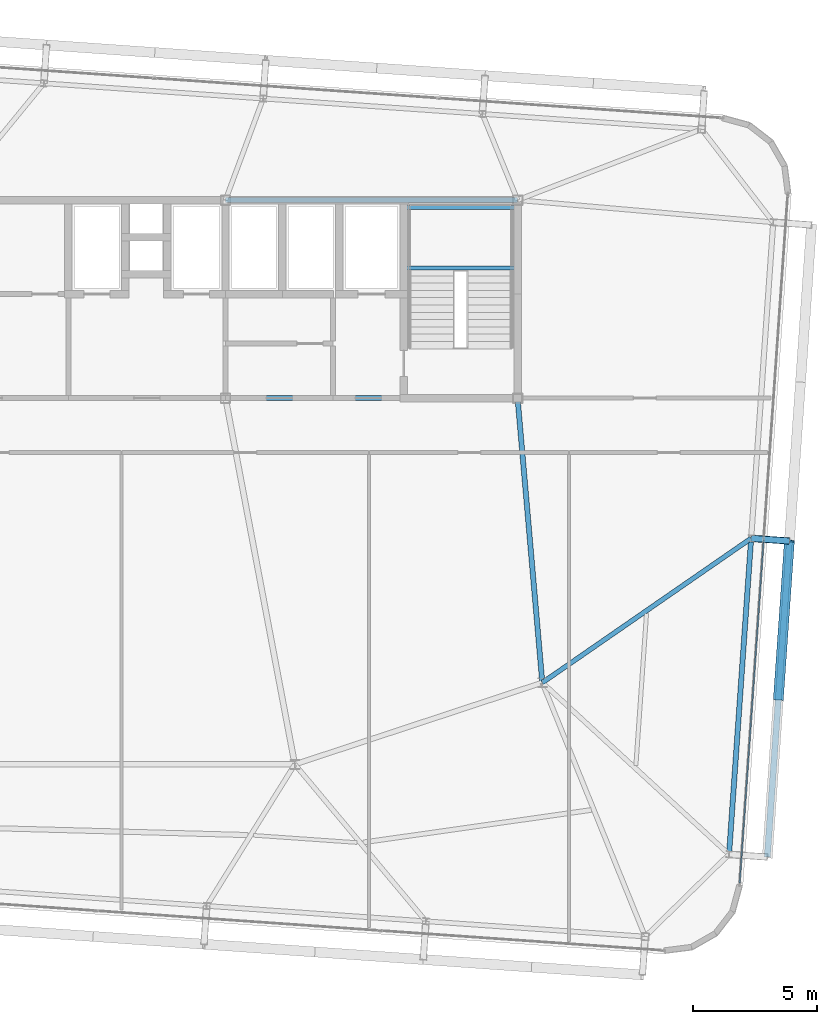
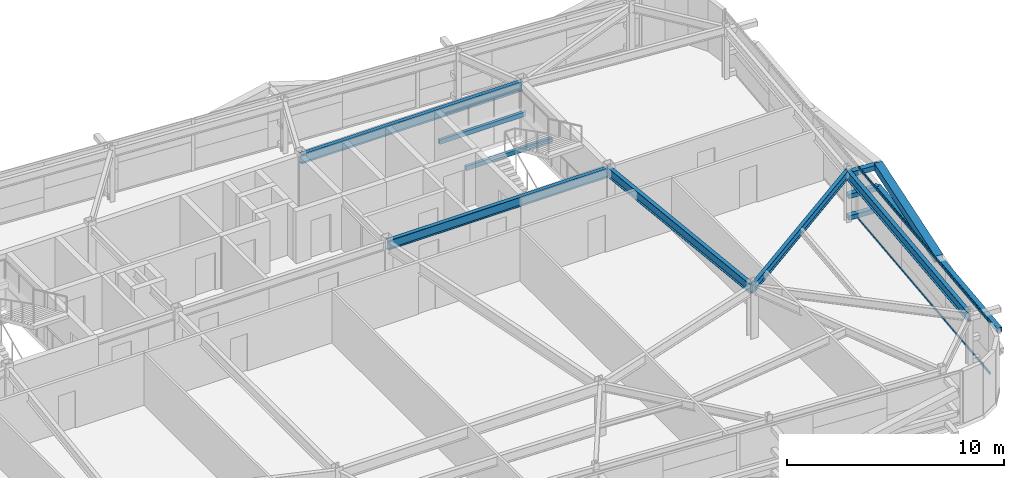
# One storey, part 16 of 39: 7 beams, 7 members, 1 element without a shape of its own.
"""IFC4 building model written with IfcOpenShell, lengths in metres."""

import ifcopenshell
import ifcopenshell.guid

model = None  # the IFC model being written
_history = None  # IfcOwnerHistory: only IFC2X3 demands one
_inside = {}  # id of a spatial element -> (the spatial element, [elements in it])
_under = {}  # id of a project, library or spatial element -> (it, [spatial elements below it])
_declared = {}  # id of a project -> (the project, [libraries it declares])
_typed = {}  # id of a type object -> (the type object, [elements of that type])
_made_of = {}  # id of a material, layer set ... -> (it, [elements and type objects made of it])


def new_model(schema):
    """Start an empty IFC model of exactly this schema.

    Asked for "IFC4X3", IfcOpenShell would pick the latest addendum, in which some entities
    have other attributes; the version numbers below select the first issue.
    IFC2X3 requires an IfcOwnerHistory on every rooted entity: one is made here for all.
    """
    global model, _history
    if schema == "IFC4X3":
        model = ifcopenshell.file(schema_version=(4, 3, 0, 0))
    else:
        model = ifcopenshell.file(schema=schema)
    _inside.clear()
    _under.clear()
    _declared.clear()
    _typed.clear()
    _made_of.clear()
    _history = None
    if model.schema == "IFC2X3":
        org = make("IfcOrganization", Name="unknown")
        user = make(
            "IfcPersonAndOrganization",
            ThePerson=make("IfcPerson", FamilyName="unknown"),
            TheOrganization=org,
        )
        app = make(
            "IfcApplication",
            ApplicationDeveloper=org,
            Version="unknown",
            ApplicationFullName="unknown",
            ApplicationIdentifier="unknown",
        )
        _history = make(
            "IfcOwnerHistory",
            OwningUser=user,
            OwningApplication=app,
            ChangeAction="ADDED",
            CreationDate=0,
        )
    return model


def make(cls, **values):
    """One entity of the class cls with the attributes given. An attribute that is None is left unset."""
    return model.create_entity(
        cls, **{name: value for name, value in values.items() if value is not None}
    )


def rooted(cls, **values):
    """An entity with a GlobalId (a new one), such as an element, a storey or a relation."""
    return make(cls, GlobalId=ifcopenshell.guid.new(), OwnerHistory=_history, **values)


def si_unit(unit_type, name, prefix=None):
    """IfcSIUnit, for example si_unit("LENGTHUNIT", "METRE", prefix="MILLI")."""
    return make("IfcSIUnit", UnitType=unit_type, Prefix=prefix, Name=name)


def assignment(units):
    """IfcUnitAssignment: the units of a project."""
    return None if units is None else make("IfcUnitAssignment", Units=units)


def point(xyz):
    """IfcCartesianPoint."""
    return None if xyz is None else make("IfcCartesianPoint", Coordinates=xyz)


def direction(xyz):
    """IfcDirection."""
    return None if xyz is None else make("IfcDirection", DirectionRatios=xyz)


def frame(location, z_axis=None, x_axis=None):
    """IfcAxis2Placement3D, a coordinate frame: its origin and axes. An axis left out is left unset."""
    return make(
        "IfcAxis2Placement3D",
        Location=point(location),
        Axis=direction(z_axis),
        RefDirection=direction(x_axis),
    )


def frame_2d(location, x_axis=None):
    """IfcAxis2Placement2D, a coordinate frame in the plane: its origin and x axis."""
    return make(
        "IfcAxis2Placement2D", Location=point(location), RefDirection=direction(x_axis)
    )


def origin():
    """The frame at (0, 0, 0) with its axes left unset."""
    return frame((0.0, 0.0, 0.0))


def origin_2d():
    """The frame at (0, 0) in the plane with its x axis left unset."""
    return frame_2d((0.0, 0.0))


def place(relative_to, where):
    """IfcLocalPlacement: puts the frame where relative to a parent placement (None: the world)."""
    return make(
        "IfcLocalPlacement", PlacementRelTo=relative_to, RelativePlacement=where
    )


def context(
    kind, dimensions, precision=None, world=None, true_north=None, identifier=None
):
    """IfcGeometricRepresentationContext, for example the 3D "Model" context."""
    return make(
        "IfcGeometricRepresentationContext",
        ContextIdentifier=identifier,
        ContextType=kind,
        CoordinateSpaceDimension=dimensions,
        Precision=precision,
        WorldCoordinateSystem=world,
        TrueNorth=true_north,
    )


def subcontext(parent, identifier, kind, view, scale=None):
    """IfcGeometricRepresentationSubContext, for example "Body" below "Model"."""
    return make(
        "IfcGeometricRepresentationSubContext",
        ContextIdentifier=identifier,
        ContextType=kind,
        ParentContext=parent,
        TargetScale=scale,
        TargetView=view,
    )


def project(units=None, contexts=None):
    """IfcProject with its units and contexts."""
    return rooted(
        "IfcProject",
        Name="project",
        RepresentationContexts=contexts,
        UnitsInContext=assignment(units),
    )


def spatial(cls, under=None, at=None, **own):
    """A site, building, storey or space (cls), placed at a placement, below another one or the project."""
    s = rooted(cls, ObjectPlacement=at, **own)
    if under is not None:
        _under.setdefault(under.id(), (under, []))[1].append(s)
    return s


def profile(cls, at=None, kind="AREA", **sizes):
    """A parametric profile (cls). Its sizes go by their IFC names, for example OverallWidth=200.0."""
    return make(cls, ProfileType=kind, Position=at, **sizes)


def hollow_rectangle(**sizes):
    """IfcRectangleHollowProfileDef."""
    return profile("IfcRectangleHollowProfileDef", **sizes)


def i_section(**sizes):
    """IfcIShapeProfileDef."""
    return profile("IfcIShapeProfileDef", **sizes)


def extrude(swept, where, along, depth):
    """IfcExtrudedAreaSolid: the profile swept, set in the frame where, extruded along a direction by depth."""
    return make(
        "IfcExtrudedAreaSolid",
        SweptArea=swept,
        Position=where,
        ExtrudedDirection=direction(along),
        Depth=depth,
    )


def shape(context_of_items, identifier, shape_type, items):
    """IfcShapeRepresentation: the items that make up one representation, for example the "Body"."""
    return make(
        "IfcShapeRepresentation",
        ContextOfItems=context_of_items,
        RepresentationIdentifier=identifier,
        RepresentationType=shape_type,
        Items=items,
    )


def source(mapping_origin, context_of_items, identifier, shape_type, items):
    """IfcRepresentationMap: a shape defined once, which mapped items show again and again."""
    return make(
        "IfcRepresentationMap",
        MappingOrigin=mapping_origin,
        MappedRepresentation=shape(context_of_items, identifier, shape_type, items),
    )


def transform(
    local_origin,
    x_axis=None,
    y_axis=None,
    z_axis=None,
    scale=None,
    scale2=None,
    scale3=None,
    uniform=True,
):
    """IfcCartesianTransformationOperator3D, or its non-uniform kind. x_axis, y_axis, z_axis: its Axis1, 2, 3."""
    if uniform:
        return make(
            "IfcCartesianTransformationOperator3D",
            Axis1=direction(x_axis),
            Axis2=direction(y_axis),
            LocalOrigin=point(local_origin),
            Scale=scale,
            Axis3=direction(z_axis),
        )
    return make(
        "IfcCartesianTransformationOperator3DnonUniform",
        Axis1=direction(x_axis),
        Axis2=direction(y_axis),
        LocalOrigin=point(local_origin),
        Scale=scale,
        Axis3=direction(z_axis),
        Scale2=scale2,
        Scale3=scale3,
    )


def mapped(mapping_source, mapping_target):
    """IfcMappedItem: shows the shape of a source again, moved by a transform."""
    return make(
        "IfcMappedItem", MappingSource=mapping_source, MappingTarget=mapping_target
    )


def material(Name=None, Category=None):
    """IfcMaterial."""
    return make("IfcMaterial", Name=Name, Category=Category)


def layer(
    of_material, thickness, ventilated=None, Name=None, Category=None, Priority=None
):
    """IfcMaterialLayer: one layer of a wall or slab, of a material (None: an air gap)."""
    return make(
        "IfcMaterialLayer",
        Material=of_material,
        LayerThickness=thickness,
        IsVentilated=ventilated,
        Name=Name,
        Category=Category,
        Priority=Priority,
    )


def layer_set(layers, Name=None):
    """IfcMaterialLayerSet."""
    return make("IfcMaterialLayerSet", MaterialLayers=layers, LayerSetName=Name)


def material_profile(
    of_material, cross_section, Name=None, Category=None, Priority=None
):
    """IfcMaterialProfile: a cross section and its material."""
    return make(
        "IfcMaterialProfile",
        Name=Name,
        Material=of_material,
        Profile=cross_section,
        Priority=Priority,
        Category=Category,
    )


def profile_set(profiles, Name=None, composite=None):
    """IfcMaterialProfileSet."""
    return make(
        "IfcMaterialProfileSet",
        Name=Name,
        MaterialProfiles=profiles,
        CompositeProfile=composite,
    )


def made_of(thing, what):
    """Note that an element or type object is made of a material, layer set ...; save() writes the relation."""
    if what is not None:
        _made_of.setdefault(what.id(), (what, []))[1].append(thing)
    return thing


def type_object(cls, material=None, **own):
    """A type object (cls), such as IfcWallType, which elements share."""
    return made_of(rooted(cls, **own), material)


def element(
    cls,
    number,
    at=None,
    inside=None,
    cuts=None,
    type_object=None,
    material=None,
    context=None,
    identifier="Body",
    shape_type=None,
    held_by="IfcProductDefinitionShape",
    body=None,
    shapes=None,
    **own,
):
    """One element of the class cls, such as IfcWall. Its Tag is "e" and its number.

    at: its placement. inside: the storey or other place that contains it. cuts: it is an
    opening in that element (IfcRelVoidsElement). A single representation is given by context,
    identifier, shape_type and body (its items); several are given by shapes. held_by: the class
    of the entity that holds the representations. save() writes the other relations.
    """
    e = rooted(cls, Tag="e%d" % number, ObjectPlacement=at, **own)
    if body is not None:
        shapes = [shape(context, identifier, shape_type, body)]
    if shapes is not None:
        e.Representation = make(held_by, Representations=shapes)
    if inside is not None:
        _inside.setdefault(inside.id(), (inside, []))[1].append(e)
    if cuts is not None:
        rooted(
            "IfcRelVoidsElement", RelatingBuildingElement=cuts, RelatedOpeningElement=e
        )
    if type_object is not None:
        _typed.setdefault(type_object.id(), (type_object, []))[1].append(e)
    return made_of(e, material)


def aggregate(whole, parts):
    """IfcRelAggregates: a whole, such as a stair, and the parts it consists of."""
    return rooted("IfcRelAggregates", RelatingObject=whole, RelatedObjects=parts)


def save(model, path):
    """Write the relations noted so far, then the file.

    IfcRelAggregates (storeys below a building ...), IfcRelContainedInSpatialStructure (elements
    in a storey), IfcRelDefinesByType, IfcRelAssociatesMaterial and IfcRelDeclares: one each for
    every whole, place, type object, material and project.
    """
    for whole, parts in _under.values():
        aggregate(whole, parts)
    for where, things in _inside.values():
        rooted(
            "IfcRelContainedInSpatialStructure",
            RelatedElements=things,
            RelatingStructure=where,
        )
    for kind, things in _typed.values():
        rooted("IfcRelDefinesByType", RelatedObjects=things, RelatingType=kind)
    for what, things in _made_of.values():
        rooted("IfcRelAssociatesMaterial", RelatedObjects=things, RelatingMaterial=what)
    for by, libraries in _declared.values():
        rooted("IfcRelDeclares", RelatingContext=by, RelatedDefinitions=libraries)
    model.write(path)


model = new_model("IFC4")

# Units and contexts
model_context = context("Model", 3, precision=1e-05, world=origin(), true_north=direction((0.0, 1.0)))
body_context = subcontext(model_context, "Body", "Model", "MODEL_VIEW")
ifc_project = project(units=[si_unit("LENGTHUNIT", "METRE"), si_unit("AREAUNIT", "SQUARE_METRE"), si_unit("VOLUMEUNIT", "CUBIC_METRE"), si_unit("PLANEANGLEUNIT", "RADIAN"), si_unit("MASSUNIT", "GRAM", prefix="KILO")], contexts=[model_context])

# Site, building, storey
site_placement = place(None, origin())
site = spatial("IfcSite", under=ifc_project, at=site_placement, CompositionType="ELEMENT")
building_placement = place(site_placement, origin())
building = spatial("IfcBuilding", under=site, at=building_placement, Name="Taldren Reach Tower", CompositionType="ELEMENT")
storey_placement = place(building_placement, frame((0.0, 0.0, 145.60009765625)))
storey = spatial("IfcBuildingStorey", under=building, at=storey_placement, Name="L44", CompositionType="ELEMENT", Elevation=145.60009765625)

# Beams
ifc_material_1 = material(Name="Steel Gr 350 (350PLUS)", Category="steel")
ifc_material_profile_1 = material_profile(ifc_material_1, i_section(OverallWidth=0.208984375, OverallDepth=0.532958984375, WebThickness=0.01025390625, FlangeThickness=0.015625, at=origin_2d()), Name="530UB92.4")
ifc_profile_set_1 = profile_set([ifc_material_profile_1], Name="Steel Gr 350 (350PLUS)")
beam_type_1 = type_object("IfcBeamType", Name="BM-UB530A", PredefinedType="BEAM", material=ifc_profile_set_1)
shared_shape_1 = source(origin(), body_context, "Body", "SweptSolid", [
    extrude(i_section(OverallWidth=0.208984375, OverallDepth=0.532958984375, WebThickness=0.01025390625, FlangeThickness=0.015625, at=origin_2d()), origin(), (0.0, 0.0, 1.0), 11.800048828125),
])
for number, where, z_axis, x_axis, name in (
    (1, (39.199951171875, 24.0, 2.663330078125), (1.0, 0.0, 0.0), (0.0, 1.0, 0.0), "Core-spine girder L44-SP03"),
    (2, (39.199951171875, 32.0, 2.663330078125), (1.0, 0.0, 0.0), (0.0, 1.0, 0.0), "Core-spine girder L44-SP06"),
):
    element("IfcBeam", number, at=place(storey_placement, frame(where, z_axis=z_axis, x_axis=x_axis)), inside=storey, type_object=beam_type_1, Name=name, PredefinedType="BEAM", context=body_context, shape_type="MappedRepresentation", body=[
        mapped(shared_shape_1, transform((0.0, 0.0, 0.0), scale=1.0)),
    ])
shared_shape_2 = source(origin(), body_context, "Body", "SweptSolid", [
    extrude(i_section(OverallWidth=0.208984375, OverallDepth=0.532958984375, WebThickness=0.01025390625, FlangeThickness=0.015625, at=origin_2d()), origin(), (0.0, 0.0, 1.0), 11.54345703125),
])
beam_1_placement = place(storey_placement, frame((52.0, 12.5, 2.663330078125), z_axis=(-0.086629616365, 0.996240588196, 0.0), x_axis=(-0.996240588196, -0.086629616365, 0.0)))
element("IfcBeam", 3, at=beam_1_placement, inside=storey, type_object=beam_type_1, Name="Core-spine girder L44-SP13", PredefinedType="BEAM", context=body_context, shape_type="MappedRepresentation", body=[
    mapped(shared_shape_2, transform((0.0, 0.0, 0.0), scale=1.0)),
])

# Members
ifc_material_2 = material(Name="Steel Gr 450 (C450L0)", Category="steel")
ifc_material_profile_2 = material_profile(ifc_material_2, hollow_rectangle(XDim=0.27490234375, YDim=0.27490234375, WallThickness=0.00927734375, at=origin_2d()), Name="275x275x9.3SHS")
ifc_profile_set_2 = profile_set([ifc_material_profile_2], Name="Steel Gr 450 (C450L0)")
member_type_1 = type_object("IfcMemberType", Name="MB-TIE273", PredefinedType="STRUT", material=ifc_profile_set_2)
shared_shape_3 = source(origin(), body_context, "Body", "SweptSolid", [
    extrude(hollow_rectangle(XDim=0.27490234375, YDim=0.27490234375, WallThickness=0.00927734375, at=origin_2d()), origin(), (0.0, 0.0, 1.0), 1.5498046875),
])
member_1_placement = place(storey_placement, frame((60.438232421875, 18.331787109375, 2.64990234375), z_axis=(0.997562367434, -0.069780535098, 0.0), x_axis=(0.069780535098, 0.997562367434, 0.0)))
element("IfcMember", 4, at=member_1_placement, inside=storey, type_object=member_type_1, Name="Exoskeleton diaphragm tie strut B3-E2 L44", PredefinedType="STRUT", context=body_context, shape_type="MappedRepresentation", body=[
    mapped(shared_shape_3, transform((0.0, 0.0, 0.0), scale=1.0)),
])
ifc_material_3 = material(Name="Steel Gr 350 (C350L0)", Category="steel")
ifc_material_profile_3 = material_profile(ifc_material_3, hollow_rectangle(XDim=0.25, YDim=0.25, WallThickness=0.010009765625, at=origin_2d()), Name="250x250x10.0SHS")
ifc_profile_set_3 = profile_set([ifc_material_profile_3], Name="Steel Gr 350 (C350L0)")
member_type_2 = type_object("IfcMemberType", Name="MB-POST250", PredefinedType="POST", material=ifc_profile_set_3)
shared_shape_4 = source(origin(), body_context, "Body", "SweptSolid", [
    extrude(hollow_rectangle(XDim=0.25, YDim=0.25, WallThickness=0.010009765625, at=origin_2d()), origin(), (0.0, 0.0, 1.0), 1.5498046875),
])
for number, where, z_axis, x_axis, name in (
    (5, (60.438232421875, 18.331787109375, 0.219970703125), (0.997562367434, -0.069780535098, 0.0), (0.069780535098, 0.997562367434, 0.0), "Exoskeleton base diaphragm tie strut B3-E2 L44"),
    (6, (60.438232421875, 18.331787109375, 1.434814453125), (0.997562367434, -0.069780535098, 0.0), (0.069780535098, 0.997562367434, 0.0), "Exoskeleton mid-tier diaphragm tie B3-E2 L44"),
):
    element("IfcMember", number, at=place(storey_placement, frame(where, z_axis=z_axis, x_axis=x_axis)), inside=storey, type_object=member_type_2, Name=name, PredefinedType="POST", context=body_context, shape_type="MappedRepresentation", body=[
        mapped(shared_shape_4, transform((0.0, 0.0, 0.0), scale=1.0)),
    ])

# Beams
ifc_material_profile_4 = material_profile(ifc_material_1, i_section(OverallWidth=0.208984375, OverallDepth=0.528076171875, WebThickness=0.009521484375, FlangeThickness=0.01318359375, at=origin_2d()), Name="530UB82.0")
ifc_profile_set_4 = profile_set([ifc_material_profile_4], Name="Steel Gr 350 (350PLUS)")
beam_type_2 = type_object("IfcBeamType", Name="SP-UB530B", PredefinedType="SPANDREL", material=ifc_profile_set_4)
shared_shape_5 = source(origin(), body_context, "Body", "SweptSolid", [
    extrude(i_section(OverallWidth=0.208984375, OverallDepth=0.528076171875, WebThickness=0.009521484375, FlangeThickness=0.01318359375, at=origin_2d()), origin(), (0.0, 0.0, 1.0), 12.80029296875),
])
beam_2_placement = place(storey_placement, frame((59.54541015625, 5.562744140625, 2.666015625), z_axis=(0.069750549628, 0.997564464497, 0.0), x_axis=(-0.997564464497, 0.069750549628, 0.0)))
element("IfcBeam", 7, at=beam_2_placement, inside=storey, type_object=beam_type_2, Name="Perimeter spandrel B3 E1-E2 L44", PredefinedType="SPANDREL", context=body_context, shape_type="MappedRepresentation", body=[
    mapped(shared_shape_5, transform((0.0, 0.0, 0.0), scale=1.0)),
])
ifc_material_profile_5 = material_profile(ifc_material_1, i_section(OverallWidth=0.19091796875, OverallDepth=0.4599609375, WebThickness=0.010009765625, FlangeThickness=0.01611328125, at=origin_2d()), Name="460UB82.1")
ifc_profile_set_5 = profile_set([ifc_material_profile_5], Name="Steel Gr 350 (350PLUS)")
beam_type_3 = type_object("IfcBeamType", Name="BM-UB460A", PredefinedType="BEAM", material=ifc_profile_set_5)
shared_shape_6 = source(origin(), body_context, "Body", "SweptSolid", [
    extrude(i_section(OverallWidth=0.19091796875, OverallDepth=0.4599609375, WebThickness=0.010009765625, FlangeThickness=0.01611328125, at=origin_2d()), origin(), (0.0, 0.0, 1.0), 10.25732421875),
])
beam_3_placement = place(storey_placement, frame((52.0, 12.5, 2.699951171875), z_axis=(0.822651197727, 0.568546398175, 0.0), x_axis=(-0.568546398175, 0.822651197727, 0.0)))
element("IfcBeam", 8, at=beam_3_placement, inside=storey, type_object=beam_type_3, Name="Primary floor girder B3-E2 L44", PredefinedType="BEAM", context=body_context, shape_type="MappedRepresentation", body=[
    mapped(shared_shape_6, transform((0.0, 0.0, 0.0), scale=1.0)),
])

# Members
shared_shape_7 = source(origin(), body_context, "Body", "SweptSolid", [
    extrude(hollow_rectangle(XDim=0.25, YDim=0.25, WallThickness=0.010009765625, at=origin_2d()), origin(), (0.0, 0.0, 1.0), 12.800048828125),
])
member_2_placement = place(storey_placement, frame((61.091552734375, 5.454833984375, 1.434814453125), z_axis=(0.069751876777, 0.9975643717, 0.0), x_axis=(-0.9975643717, 0.069751876777, 0.0)))
element("IfcMember", 9, at=member_2_placement, inside=storey, type_object=member_type_2, Name="Exoskeleton mid-height ring chord B3-E1 L44", PredefinedType="POST", context=body_context, shape_type="MappedRepresentation", body=[
    mapped(shared_shape_7, transform((0.0, 0.0, 0.0), scale=1.0)),
])
ifc_material_profile_6 = material_profile(ifc_material_2, hollow_rectangle(XDim=0.409912109375, YDim=0.409912109375, WallThickness=0.01611328125, at=origin_2d()), Name="410x410x16.0SHS")
ifc_profile_set_6 = profile_set([ifc_material_profile_6], Name="Steel Gr 450 (C450L0)")
member_type_3 = type_object("IfcMemberType", Name="MB-EXO406", PredefinedType="BRACE", material=ifc_profile_set_6)
shared_shape_8 = source(origin(), body_context, "Body", "SweptSolid", [
    extrude(hollow_rectangle(XDim=0.409912109375, YDim=0.409912109375, WallThickness=0.01611328125, at=origin_2d()), origin(), (0.0, 0.0, 1.0), 6.514404296875),
])
member_3_placement = place(storey_placement, frame((61.5380859375, 11.839111328125, 1.434814453125), z_axis=(0.068507825937, 0.980059166346, 0.186522674885), x_axis=(-0.997565791441, 0.069731569223, 0.0)))
element("IfcMember", 10, at=member_3_placement, inside=storey, type_object=member_type_3, Name="Exoskeleton Diagrid Brace B3-E1 L44", PredefinedType="BRACE", context=body_context, shape_type="MappedRepresentation", body=[
    mapped(shared_shape_8, transform((0.0, 0.0, 0.0), scale=1.0)),
])

# Curtain wall, members
ifc_material_4 = material(Name="Aluminium and Low-E Glass Unitised System", Category="aluminium")
ifc_layer = layer(ifc_material_4, 0.159912109375)
ifc_layer_set = layer_set([ifc_layer], Name="Aluminium and Low-E Glass Unitised System")
curtain_wall_type = type_object("IfcCurtainWallType", Name="CW-SYS-4", PredefinedType="NOTDEFINED", material=ifc_layer_set)
curtain_wall_placement = place(storey_placement, origin())
curtain_wall = element("IfcCurtainWall", 11, at=curtain_wall_placement, inside=storey, type_object=curtain_wall_type, Name="Unitised curtain wall CW-L44-E", PredefinedType="NOTDEFINED")
ifc_material_5 = material(Name="Anodised Aluminium 6063-T6", Category="aluminium")
ifc_material_profile_7 = material_profile(ifc_material_5, hollow_rectangle(XDim=0.054931640625, YDim=0.1201171875, WallThickness=0.0029296875, at=origin_2d()), Name="ALU-120x55x3RHS")
ifc_profile_set_7 = profile_set([ifc_material_profile_7], Name="Anodised Aluminium 6063-T6")
member_type_4 = type_object("IfcMemberType", Name="CW-TRN-135", PredefinedType="USERDEFINED", material=ifc_profile_set_7)
shared_shape_9 = source(origin(), body_context, "Body", "SweptSolid", [
    extrude(hollow_rectangle(XDim=0.054931640625, YDim=0.1201171875, WallThickness=0.0029296875, at=origin_2d()), origin(), (0.0, 0.0, 1.0), 13.89501953125),
])
member_4_placement = place(storey_placement, frame((59.975341796875, 4.400146484375, 0.02734375), z_axis=(0.069754817075, 0.997564166104, 0.0), x_axis=(-0.997564166104, 0.069754817075, 0.0)))
member_4 = element("IfcMember", 12, at=member_4_placement, type_object=member_type_4, Name="CW-4 transom 1.1", ObjectType="TRANSOM", PredefinedType="USERDEFINED", context=body_context, shape_type="MappedRepresentation", body=[
    mapped(shared_shape_9, transform((0.0, 0.0, 0.0), scale=1.0)),
])
member_5_placement = place(storey_placement, frame((59.975341796875, 4.400146484375, 2.90234375), z_axis=(0.069754817075, 0.997564166104, 0.0), x_axis=(-0.997564166104, 0.069754817075, 0.0)))
member_5 = element("IfcMember", 13, at=member_5_placement, type_object=member_type_4, Name="CW-4 transom 1.2", ObjectType="TRANSOM", PredefinedType="USERDEFINED", context=body_context, shape_type="MappedRepresentation", body=[
    mapped(shared_shape_9, transform((0.0, 0.0, 0.0), scale=1.0)),
])
aggregate(curtain_wall, [member_4, member_5])

# Beams
ifc_material_profile_8 = material_profile(ifc_material_3, hollow_rectangle(XDim=0.14990234375, YDim=0.25, WallThickness=0.009033203125, at=origin_2d()), Name="250x150x9.0RHS")
ifc_profile_set_8 = profile_set([ifc_material_profile_8], Name="Steel Gr 350 (C350L0)")
beam_type_4 = type_object("IfcBeamType", Name="LN-RHS250", PredefinedType="LINTEL", material=ifc_profile_set_8)
shared_shape_10 = source(origin(), body_context, "Body", "SweptSolid", [
    extrude(hollow_rectangle(XDim=0.14990234375, YDim=0.25, WallThickness=0.009033203125, at=origin_2d()), origin(), (0.0, 0.0, 1.0), 4.60009765625),
])
for number, where, z_axis, x_axis, name in (
    (14, (46.39990234375, 29.2548828125, 1.27001953125), (1.0, 0.0, 0.0), (0.0, 1.0, 0.0), "Stair half-landing support beam ST2-L44-1"),
    (15, (46.39990234375, 31.699951171875, 1.27001953125), (1.0, 0.0, 0.0), (0.0, 1.0, 0.0), "Stair half-landing support beam ST2-L44-2"),
):
    element("IfcBeam", number, at=place(storey_placement, frame(where, z_axis=z_axis, x_axis=x_axis)), inside=storey, type_object=beam_type_4, Name=name, PredefinedType="LINTEL", context=body_context, shape_type="MappedRepresentation", body=[
        mapped(shared_shape_10, transform((0.0, 0.0, 0.0), scale=1.0)),
    ])

save(model, "model.ifc")
